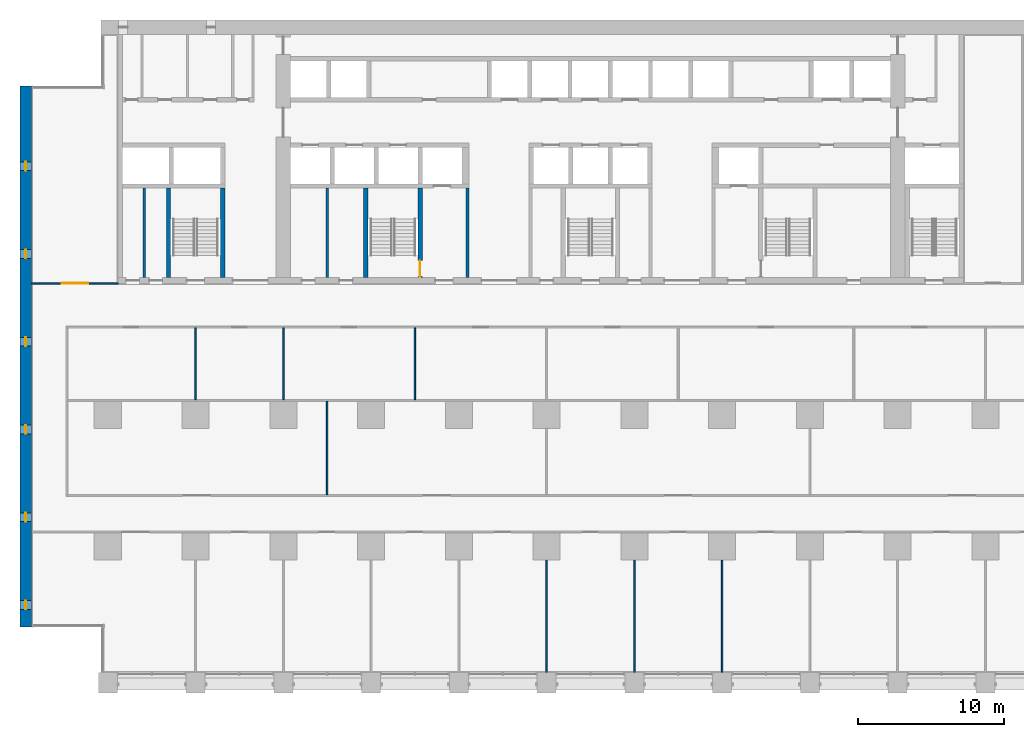
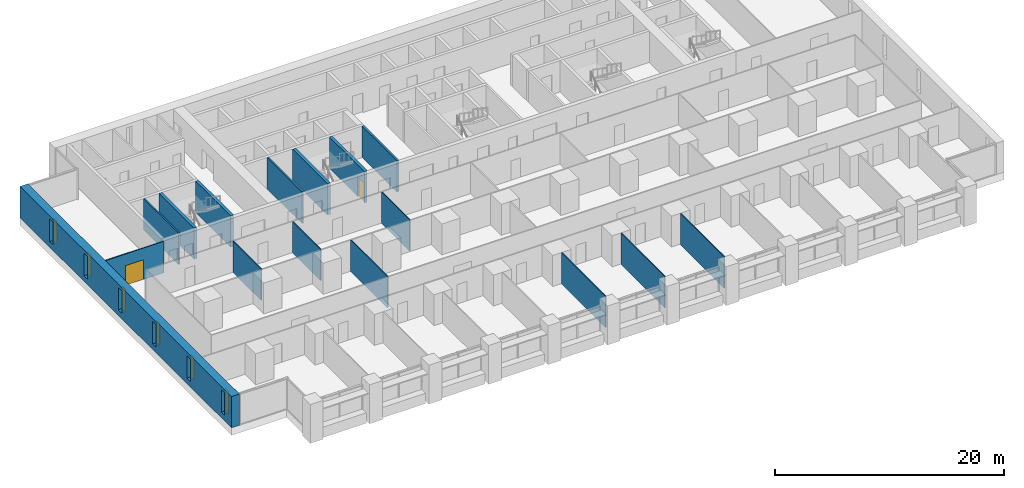
# One storey, part 8 of 18: 16 walls, 6 windows, 2 doors, 8 openings.
"""IFC4 building model written with IfcOpenShell, lengths in metres."""

from ifc_helpers import new_model, si_unit, direction, frame, frame_2d, origin, place, context, subcontext, project, spatial, rectangle, extrude, material, layer, layer_set, type_object, element, fill, save


model = new_model("IFC4")

# Units and contexts
model_context = context("Model", 3, precision=1e-05, world=origin(), true_north=direction((0.0, 1.0)))
body_context = subcontext(model_context, "Body", "Model", "MODEL_VIEW")
ifc_project = project(units=[si_unit("LENGTHUNIT", "METRE"), si_unit("AREAUNIT", "SQUARE_METRE"), si_unit("VOLUMEUNIT", "CUBIC_METRE"), si_unit("PLANEANGLEUNIT", "RADIAN"), si_unit("MASSUNIT", "GRAM", prefix="KILO")], contexts=[model_context])

# Site, building, storey
site_placement = place(None, origin())
site = spatial("IfcSite", under=ifc_project, at=site_placement, CompositionType="ELEMENT")
building_placement = place(site_placement, origin())
building = spatial("IfcBuilding", under=site, at=building_placement, Name="Calvaro Tower", CompositionType="ELEMENT")
storey_placement = place(building_placement, frame((0.0, 0.0, 22.5)))
storey = spatial("IfcBuildingStorey", under=building, at=storey_placement, Name="L04", CompositionType="ELEMENT", Elevation=22.5)

# Walls
ifc_material_1 = material(Name="Blockwork partition", Category="masonry")
ifc_layer_1 = layer(ifc_material_1, 0.14990234375)
ifc_layer_set_1 = layer_set([ifc_layer_1], Name="Blockwork partition")
wall_type_1 = type_object("IfcWallType", Name="Core partition 150 EI 60", PredefinedType="PARTITIONING", material=ifc_layer_set_1)
wall_1_placement = place(storey_placement, frame((21.0, 28.39990234375, 0.0), z_axis=(0.0, 0.0, 1.0), x_axis=(0.0, 1.0, 0.0)))
element("IfcWall", 1, at=wall_1_placement, inside=storey, type_object=wall_type_1, Name="Core partition", PredefinedType="PARTITIONING", context=body_context, shape_type="SweptSolid", body=[
    extrude(rectangle(XDim=6.10009765625, YDim=0.14990234375, at=frame_2d((3.050048828125, 0.0))), origin(), (0.0, 0.0, 1.0), 3.35009765625),
])
ifc_material_2 = material(Name="Blockwork partition", Category="masonry")
ifc_layer_2 = layer(ifc_material_2, 0.14990234375)
ifc_layer_set_2 = layer_set([ifc_layer_2], Name="Blockwork partition")
wall_type_2 = type_object("IfcWallType", Name="Core partition 150 REI 120", PredefinedType="PARTITIONING", material=ifc_layer_set_2)
wall_2_placement = place(storey_placement, frame((8.5, 28.39990234375, 0.0), z_axis=(0.0, 0.0, 1.0), x_axis=(0.0, 1.0, 0.0)))
element("IfcWall", 2, at=wall_2_placement, inside=storey, type_object=wall_type_2, Name="Core partition", PredefinedType="PARTITIONING", context=body_context, shape_type="SweptSolid", body=[
    extrude(rectangle(XDim=6.10009765625, YDim=0.14990234375, at=frame_2d((3.050048828125, 0.0))), origin(), (0.0, 0.0, 1.0), 3.35009765625),
])
ifc_material_3 = material(Name="Blockwork partition", Category="masonry")
ifc_layer_3 = layer(ifc_material_3, 0.199951171875)
ifc_layer_set_3 = layer_set([ifc_layer_3], Name="Blockwork partition")
wall_type_3 = type_object("IfcWallType", Name="Core partition 200 REI 120", PredefinedType="PARTITIONING", material=ifc_layer_set_3)
wall_3_placement = place(storey_placement, frame((30.60009765625, 28.39990234375, 0.0), z_axis=(0.0, 0.0, 1.0), x_axis=(0.0, 1.0, 0.0)))
element("IfcWall", 3, at=wall_3_placement, inside=storey, type_object=wall_type_3, Name="Core partition", PredefinedType="PARTITIONING", context=body_context, shape_type="SweptSolid", body=[
    extrude(rectangle(XDim=6.10009765625, YDim=0.199951171875, at=frame_2d((3.050048828125, 0.0))), origin(), (0.0, 0.0, 1.0), 3.35009765625),
])
ifc_material_4 = material(Name="Concrete C80/95", Category="concrete")
ifc_layer_4 = layer(ifc_material_4, 0.300048828125)
ifc_layer_set_4 = layer_set([ifc_layer_4], Name="Concrete C80/95")
wall_type_4 = type_object("IfcWallType", Name="Core wall C80/95 300", PredefinedType="SHEAR", material=ifc_layer_set_4)
for number, where, z_axis, x_axis, name in (
    (4, (10.14990234375, 28.39990234375, 0.0), (0.0, 0.0, 1.0), (0.0, 1.0, 0.0), "Core wall, stair enclosure"),
    (5, (13.85009765625, 28.39990234375, 0.0), (0.0, 0.0, 1.0), (0.0, 1.0, 0.0), "Core wall, stair enclosure"),
    (6, (23.64990234375, 28.39990234375, 0.0), (0.0, 0.0, 1.0), (0.0, 1.0, 0.0), "Core wall, stair enclosure"),
):
    element("IfcWall", number, at=place(storey_placement, frame(where, z_axis=z_axis, x_axis=x_axis)), inside=storey, type_object=wall_type_4, Name=name, PredefinedType="SHEAR", context=body_context, shape_type="SweptSolid", body=[
        extrude(rectangle(XDim=6.10009765625, YDim=0.300048828125, at=frame_2d((3.050048828125, 0.0))), origin(), (0.0, 0.0, 1.0), 3.35009765625),
    ])

# Wall, opening, door
wall_4_placement = place(storey_placement, frame((27.35009765625, 28.39990234375, 0.0), z_axis=(0.0, 0.0, 1.0), x_axis=(0.0, 1.0, 0.0)))
wall_4 = element("IfcWall", 7, at=wall_4_placement, inside=storey, type_object=wall_type_4, Name="Core wall, stair enclosure", PredefinedType="SHEAR", context=body_context, shape_type="SweptSolid", body=[
    extrude(rectangle(XDim=6.10009765625, YDim=0.300048828125, at=frame_2d((3.050048828125, 0.0))), origin(), (0.0, 0.0, 1.0), 3.35009765625),
])
opening_1_placement = place(wall_4_placement, frame((0.050048828125, 0.0, 0.0)))
opening_1 = element("IfcOpeningElement", 8, at=opening_1_placement, cuts=wall_4, Name="Opening FD11D", PredefinedType="OPENING", context=body_context, shape_type="SweptSolid", body=[
    extrude(rectangle(XDim=1.10009765625, YDim=2.10009765625, at=frame_2d((0.550048828125, 1.050048828125))), frame((0.0, 0.159912109375, 0.0), z_axis=(0.0, -1.0, 0.0), x_axis=(1.0, 0.0, 0.0)), (0.0, 0.0, 1.0), 0.320068359375),
])
ifc_material_5 = material(Name="Steel door set", Category="steel")
door_type_1 = type_object("IfcDoorType", Name="Fire door 1100 FD30S", OperationType="SINGLE_SWING_LEFT", PredefinedType="DOOR", material=ifc_material_5)
door_1_placement = place(opening_1_placement, origin())
door_1 = element("IfcDoor", 9, at=door_1_placement, inside=storey, type_object=door_type_1, Name="Fire door", OperationType="SINGLE_SWING_LEFT", OverallHeight=2.10009765625, OverallWidth=1.10009765625, PredefinedType="DOOR", context=body_context, shape_type="SweptSolid", body=[
    extrude(rectangle(XDim=1.10009765625, YDim=2.10009765625, at=frame_2d((0.550048828125, 1.050048828125))), frame((0.0, 0.02490234375, 0.0), z_axis=(0.0, -1.0, 0.0), x_axis=(1.0, 0.0, 0.0)), (0.0, 0.0, 1.0), 0.050048828125),
])
fill(opening_1, door_1)

# Wall, openings, windows
ifc_material_6 = material(Name="Concrete C80/95", Category="concrete")
ifc_layer_5 = layer(ifc_material_6, 0.800048828125)
ifc_layer_set_5 = layer_set([ifc_layer_5], Name="Concrete C80/95")
wall_type_5 = type_object("IfcWallType", Name="End wall 800 C80/95", PredefinedType="SHEAR", material=ifc_layer_set_5)
wall_5_placement = place(storey_placement, frame((0.39990234375, 4.5, 0.0), z_axis=(0.0, 0.0, 1.0), x_axis=(0.0, 1.0, 0.0)))
wall_5 = element("IfcWall", 10, at=wall_5_placement, inside=storey, type_object=wall_type_5, Name="End shear wall", PredefinedType="SHEAR", context=body_context, shape_type="SweptSolid", body=[
    extrude(rectangle(XDim=37.0, YDim=0.800048828125, at=frame_2d((18.5, 0.0))), origin(), (0.0, 0.0, 1.0), 3.35009765625),
])
opening_2_placement = place(wall_5_placement, frame((1.199951171875, 0.0, 0.60009765625)))
opening_2 = element("IfcOpeningElement", 11, at=opening_2_placement, cuts=wall_5, Name="Opening WW01", PredefinedType="OPENING", context=body_context, shape_type="SweptSolid", body=[
    extrude(rectangle(XDim=0.60009765625, YDim=2.39990234375, at=frame_2d((0.300048828125, 1.199951171875))), frame((0.0, 0.409912109375, 0.0), z_axis=(0.0, -1.0, 0.0), x_axis=(1.0, 0.0, 0.0)), (0.0, 0.0, 1.0), 0.820068359375),
])
opening_3_placement = place(wall_5_placement, frame((7.199951171875, 0.0, 0.60009765625)))
opening_3 = element("IfcOpeningElement", 12, at=opening_3_placement, cuts=wall_5, Name="Opening WW02", PredefinedType="OPENING", context=body_context, shape_type="SweptSolid", body=[
    extrude(rectangle(XDim=0.60009765625, YDim=2.39990234375, at=frame_2d((0.300048828125, 1.199951171875))), frame((0.0, 0.409912109375, 0.0), z_axis=(0.0, -1.0, 0.0), x_axis=(1.0, 0.0, 0.0)), (0.0, 0.0, 1.0), 0.820068359375),
])
opening_4_placement = place(wall_5_placement, frame((13.199951171875, 0.0, 0.60009765625)))
opening_4 = element("IfcOpeningElement", 13, at=opening_4_placement, cuts=wall_5, Name="Opening WW03", PredefinedType="OPENING", context=body_context, shape_type="SweptSolid", body=[
    extrude(rectangle(XDim=0.60009765625, YDim=2.39990234375, at=frame_2d((0.300048828125, 1.199951171875))), frame((0.0, 0.409912109375, 0.0), z_axis=(0.0, -1.0, 0.0), x_axis=(1.0, 0.0, 0.0)), (0.0, 0.0, 1.0), 0.820068359375),
])
opening_5_placement = place(wall_5_placement, frame((19.199951171875, 0.0, 0.60009765625)))
opening_5 = element("IfcOpeningElement", 14, at=opening_5_placement, cuts=wall_5, Name="Opening WW04", PredefinedType="OPENING", context=body_context, shape_type="SweptSolid", body=[
    extrude(rectangle(XDim=0.60009765625, YDim=2.39990234375, at=frame_2d((0.300048828125, 1.199951171875))), frame((0.0, 0.409912109375, 0.0), z_axis=(0.0, -1.0, 0.0), x_axis=(1.0, 0.0, 0.0)), (0.0, 0.0, 1.0), 0.820068359375),
])
opening_6_placement = place(wall_5_placement, frame((25.199951171875, 0.0, 0.60009765625)))
opening_6 = element("IfcOpeningElement", 15, at=opening_6_placement, cuts=wall_5, Name="Opening WW05", PredefinedType="OPENING", context=body_context, shape_type="SweptSolid", body=[
    extrude(rectangle(XDim=0.60009765625, YDim=2.39990234375, at=frame_2d((0.300048828125, 1.199951171875))), frame((0.0, 0.409912109375, 0.0), z_axis=(0.0, -1.0, 0.0), x_axis=(1.0, 0.0, 0.0)), (0.0, 0.0, 1.0), 0.820068359375),
])
opening_7_placement = place(wall_5_placement, frame((31.199951171875, 0.0, 0.60009765625)))
opening_7 = element("IfcOpeningElement", 16, at=opening_7_placement, cuts=wall_5, Name="Opening WW06", PredefinedType="OPENING", context=body_context, shape_type="SweptSolid", body=[
    extrude(rectangle(XDim=0.60009765625, YDim=2.39990234375, at=frame_2d((0.300048828125, 1.199951171875))), frame((0.0, 0.409912109375, 0.0), z_axis=(0.0, -1.0, 0.0), x_axis=(1.0, 0.0, 0.0)), (0.0, 0.0, 1.0), 0.820068359375),
])
ifc_material_7 = material(Name="Glass", Category="glass")
window_type = type_object("IfcWindowType", Name="Slit window 600 x 2400", PartitioningType="SINGLE_PANEL", PredefinedType="WINDOW", material=ifc_material_7)
window_1_placement = place(opening_2_placement, origin())
window_1 = element("IfcWindow", 17, at=window_1_placement, inside=storey, type_object=window_type, Name="Window WW01", OverallHeight=2.39990234375, OverallWidth=0.60009765625, PartitioningType="SINGLE_PANEL", PredefinedType="WINDOW", context=body_context, shape_type="SweptSolid", body=[
    extrude(rectangle(XDim=0.60009765625, YDim=2.39990234375, at=frame_2d((0.300048828125, 1.199951171875))), frame((0.0, 0.030029296875, 0.0), z_axis=(0.0, -1.0, 0.0), x_axis=(1.0, 0.0, 0.0)), (0.0, 0.0, 1.0), 0.06005859375),
])
fill(opening_2, window_1)
window_2_placement = place(opening_3_placement, origin())
window_2 = element("IfcWindow", 18, at=window_2_placement, inside=storey, type_object=window_type, Name="Window WW02", OverallHeight=2.39990234375, OverallWidth=0.60009765625, PartitioningType="SINGLE_PANEL", PredefinedType="WINDOW", context=body_context, shape_type="SweptSolid", body=[
    extrude(rectangle(XDim=0.60009765625, YDim=2.39990234375, at=frame_2d((0.300048828125, 1.199951171875))), frame((0.0, 0.030029296875, 0.0), z_axis=(0.0, -1.0, 0.0), x_axis=(1.0, 0.0, 0.0)), (0.0, 0.0, 1.0), 0.06005859375),
])
fill(opening_3, window_2)
window_3_placement = place(opening_4_placement, origin())
window_3 = element("IfcWindow", 19, at=window_3_placement, inside=storey, type_object=window_type, Name="Window WW03", OverallHeight=2.39990234375, OverallWidth=0.60009765625, PartitioningType="SINGLE_PANEL", PredefinedType="WINDOW", context=body_context, shape_type="SweptSolid", body=[
    extrude(rectangle(XDim=0.60009765625, YDim=2.39990234375, at=frame_2d((0.300048828125, 1.199951171875))), frame((0.0, 0.030029296875, 0.0), z_axis=(0.0, -1.0, 0.0), x_axis=(1.0, 0.0, 0.0)), (0.0, 0.0, 1.0), 0.06005859375),
])
fill(opening_4, window_3)
window_4_placement = place(opening_5_placement, origin())
window_4 = element("IfcWindow", 20, at=window_4_placement, inside=storey, type_object=window_type, Name="Window WW04", OverallHeight=2.39990234375, OverallWidth=0.60009765625, PartitioningType="SINGLE_PANEL", PredefinedType="WINDOW", context=body_context, shape_type="SweptSolid", body=[
    extrude(rectangle(XDim=0.60009765625, YDim=2.39990234375, at=frame_2d((0.300048828125, 1.199951171875))), frame((0.0, 0.030029296875, 0.0), z_axis=(0.0, -1.0, 0.0), x_axis=(1.0, 0.0, 0.0)), (0.0, 0.0, 1.0), 0.06005859375),
])
fill(opening_5, window_4)
window_5_placement = place(opening_6_placement, origin())
window_5 = element("IfcWindow", 21, at=window_5_placement, inside=storey, type_object=window_type, Name="Window WW05", OverallHeight=2.39990234375, OverallWidth=0.60009765625, PartitioningType="SINGLE_PANEL", PredefinedType="WINDOW", context=body_context, shape_type="SweptSolid", body=[
    extrude(rectangle(XDim=0.60009765625, YDim=2.39990234375, at=frame_2d((0.300048828125, 1.199951171875))), frame((0.0, 0.030029296875, 0.0), z_axis=(0.0, -1.0, 0.0), x_axis=(1.0, 0.0, 0.0)), (0.0, 0.0, 1.0), 0.06005859375),
])
fill(opening_6, window_5)
window_6_placement = place(opening_7_placement, origin())
window_6 = element("IfcWindow", 22, at=window_6_placement, inside=storey, type_object=window_type, Name="Window WW06", OverallHeight=2.39990234375, OverallWidth=0.60009765625, PartitioningType="SINGLE_PANEL", PredefinedType="WINDOW", context=body_context, shape_type="SweptSolid", body=[
    extrude(rectangle(XDim=0.60009765625, YDim=2.39990234375, at=frame_2d((0.300048828125, 1.199951171875))), frame((0.0, 0.030029296875, 0.0), z_axis=(0.0, -1.0, 0.0), x_axis=(1.0, 0.0, 0.0)), (0.0, 0.0, 1.0), 0.06005859375),
])
fill(opening_7, window_6)

# Wall, opening, door
ifc_material_8 = material(Name="Plasterboard on steel studs", Category="steel")
ifc_layer_6 = layer(ifc_material_8, 0.10009765625)
ifc_layer_set_6 = layer_set([ifc_layer_6], Name="Plasterboard on steel studs")
wall_type_6 = type_object("IfcWallType", Name="Partition 100", PredefinedType="PARTITIONING", material=ifc_layer_set_6)
wall_6_placement = place(storey_placement, frame((0.800048828125, 28.0, 0.0), z_axis=(0.0, 0.0, 1.0), x_axis=(1.0, 0.0, 0.0)))
wall_6 = element("IfcWall", 23, at=wall_6_placement, inside=storey, type_object=wall_type_6, Name="Partition T07.W005", PredefinedType="PARTITIONING", context=body_context, shape_type="SweptSolid", body=[
    extrude(rectangle(XDim=5.89990234375, YDim=0.10009765625, at=frame_2d((2.949951171875, 0.0))), origin(), (0.0, 0.0, 1.0), 3.35009765625),
])
opening_8_placement = place(wall_6_placement, frame((2.050048828125, 0.0, 0.0)))
opening_8 = element("IfcOpeningElement", 24, at=opening_8_placement, cuts=wall_6, Name="Opening T07.025", PredefinedType="OPENING", context=body_context, shape_type="SweptSolid", body=[
    extrude(rectangle(XDim=1.800048828125, YDim=2.10009765625, at=frame_2d((0.89990234375, 1.050048828125))), frame((0.0, 0.06005859375, 0.0), z_axis=(0.0, -1.0, 0.0), x_axis=(1.0, 0.0, 0.0)), (0.0, 0.0, 1.0), 0.1201171875),
])
ifc_material_9 = material(Name="Timber", Category="wood")
door_type_2 = type_object("IfcDoorType", Name="Internal double door 1800 x 2100", OperationType="DOUBLE_DOOR_SINGLE_SWING", PredefinedType="DOOR", material=ifc_material_9)
door_2_placement = place(opening_8_placement, origin())
door_2 = element("IfcDoor", 25, at=door_2_placement, inside=storey, type_object=door_type_2, Name="Door T07.025", OperationType="DOUBLE_DOOR_SINGLE_SWING", OverallHeight=2.10009765625, OverallWidth=1.800048828125, PredefinedType="DOOR", context=body_context, shape_type="SweptSolid", body=[
    extrude(rectangle(XDim=1.800048828125, YDim=2.10009765625, at=frame_2d((0.89990234375, 1.050048828125))), frame((0.0, 0.02490234375, 0.0), z_axis=(0.0, -1.0, 0.0), x_axis=(1.0, 0.0, 0.0)), (0.0, 0.0, 1.0), 0.050048828125),
])
fill(opening_8, door_2)

# Walls
for number, where, z_axis, x_axis, name in (
    (26, (12.0, 20.050048828125, 0.0), (0.0, 0.0, 1.0), (0.0, 1.0, 0.0), "Partition T07.W009"),
    (27, (18.0, 20.050048828125, 0.0), (0.0, 0.0, 1.0), (0.0, 1.0, 0.0), "Partition T07.W011"),
):
    element("IfcWall", number, at=place(storey_placement, frame(where, z_axis=z_axis, x_axis=x_axis)), inside=storey, type_object=wall_type_6, Name=name, PredefinedType="PARTITIONING", context=body_context, shape_type="SweptSolid", body=[
        extrude(rectangle(XDim=4.89990234375, YDim=0.10009765625, at=frame_2d((2.449951171875, 0.0))), origin(), (0.0, 0.0, 1.0), 3.35009765625),
    ])
wall_7_placement = place(storey_placement, frame((21.0, 13.550048828125, 0.0), z_axis=(0.0, 0.0, 1.0), x_axis=(0.0, 1.0, 0.0)))
element("IfcWall", 28, at=wall_7_placement, inside=storey, type_object=wall_type_6, Name="Partition T07.W012", PredefinedType="PARTITIONING", context=body_context, shape_type="SweptSolid", body=[
    extrude(rectangle(XDim=6.39990234375, YDim=0.10009765625, at=frame_2d((3.199951171875, 0.0))), origin(), (0.0, 0.0, 1.0), 3.35009765625),
])
wall_8_placement = place(storey_placement, frame((27.0, 20.050048828125, 0.0), z_axis=(0.0, 0.0, 1.0), x_axis=(0.0, 1.0, 0.0)))
element("IfcWall", 29, at=wall_8_placement, inside=storey, type_object=wall_type_6, Name="Partition T07.W014", PredefinedType="PARTITIONING", context=body_context, shape_type="SweptSolid", body=[
    extrude(rectangle(XDim=4.89990234375, YDim=0.10009765625, at=frame_2d((2.449951171875, 0.0))), origin(), (0.0, 0.0, 1.0), 3.35009765625),
])
for number, where, z_axis, x_axis, name in (
    (30, (36.0, 1.39990234375, 0.0), (0.0, 0.0, 1.0), (0.0, 1.0, 0.0), "Partition T07.W016"),
    (31, (42.0, 1.39990234375, 0.0), (0.0, 0.0, 1.0), (0.0, 1.0, 0.0), "Partition T07.W019"),
    (32, (48.0, 1.39990234375, 0.0), (0.0, 0.0, 1.0), (0.0, 1.0, 0.0), "Partition T07.W021"),
):
    element("IfcWall", number, at=place(storey_placement, frame(where, z_axis=z_axis, x_axis=x_axis)), inside=storey, type_object=wall_type_6, Name=name, PredefinedType="PARTITIONING", context=body_context, shape_type="SweptSolid", body=[
        extrude(rectangle(XDim=7.675048828125, YDim=0.10009765625, at=frame_2d((3.83740234375, 0.0))), origin(), (0.0, 0.0, 1.0), 3.35009765625),
    ])

save(model, "model.ifc")
